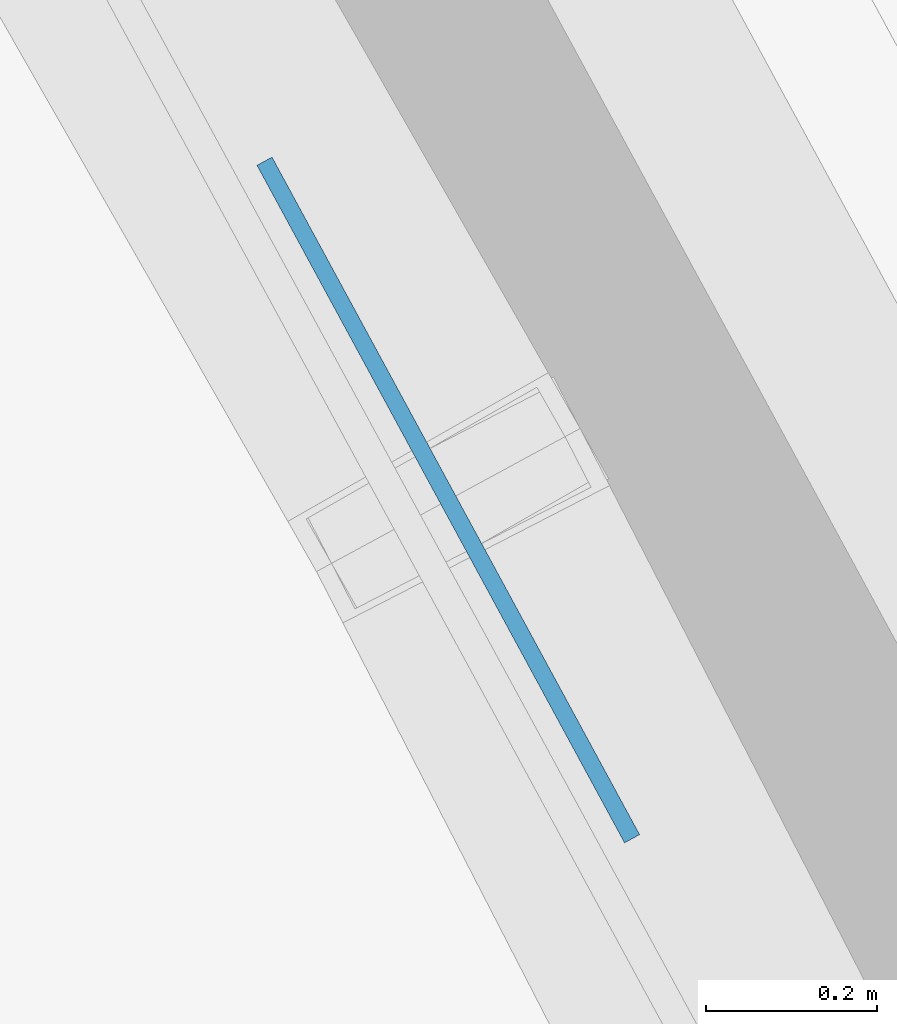
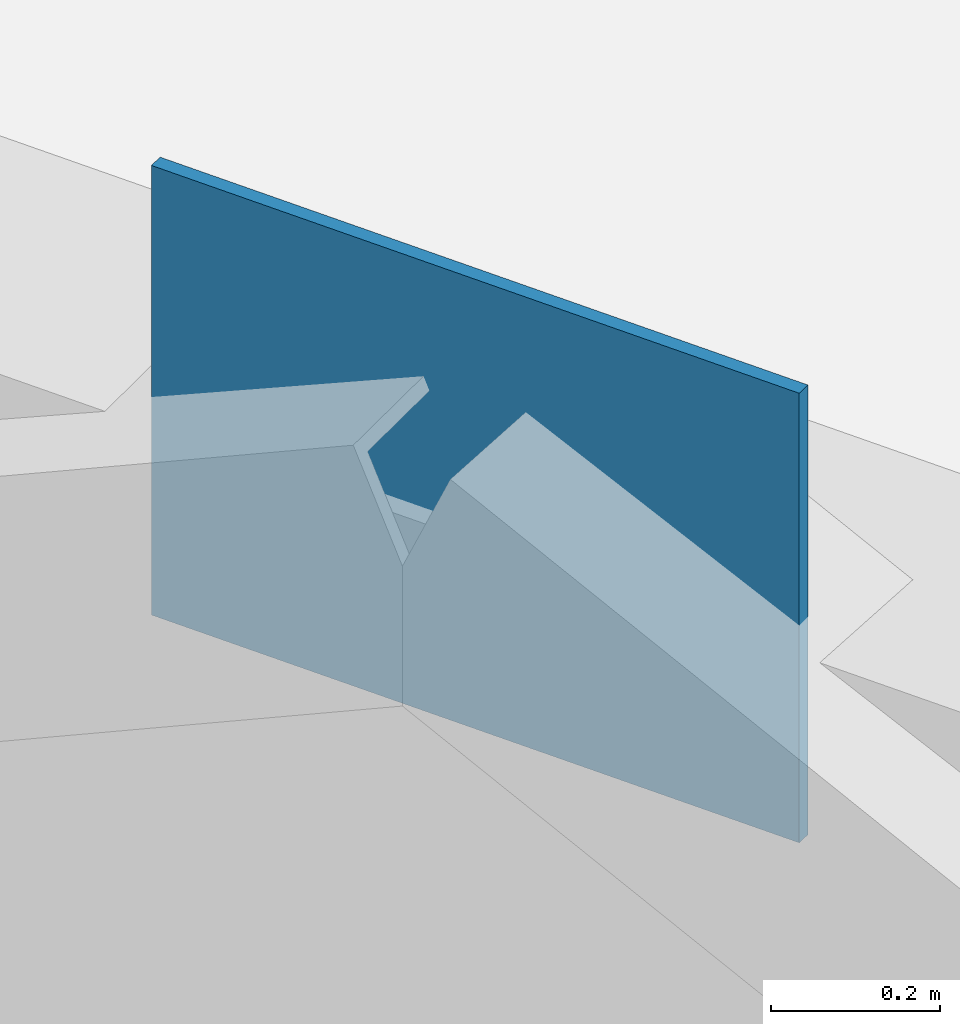
# One storey, part 25 of 74: 1 plate.
"""IFC4 building model written with IfcOpenShell, lengths in metres."""

from ifc_helpers import new_model, si_unit, direction, frame, origin, origin_2d, place, context, subcontext, project, spatial, rectangle, extrude, material, layer, layer_set, type_object, element, save


model = new_model("IFC4")

# Units and contexts
model_context = context("Model", 3, precision=1e-05, world=origin(), true_north=direction((0.0, 1.0)))
body_context = subcontext(model_context, "Body", "Model", "MODEL_VIEW")
ifc_project = project(units=[si_unit("LENGTHUNIT", "METRE"), si_unit("AREAUNIT", "SQUARE_METRE"), si_unit("VOLUMEUNIT", "CUBIC_METRE"), si_unit("PLANEANGLEUNIT", "RADIAN"), si_unit("MASSUNIT", "GRAM", prefix="KILO")], contexts=[model_context])

# Site, building, storey
site_placement = place(None, origin())
site = spatial("IfcSite", under=ifc_project, at=site_placement, CompositionType="ELEMENT")
building_placement = place(site_placement, origin())
building = spatial("IfcBuilding", under=site, at=building_placement, Name="Zlatoyarsky Gate Stadium", CompositionType="ELEMENT")
storey_placement = place(building_placement, frame((0.0, 0.0, -5.39990234375)))
storey = spatial("IfcBuildingStorey", under=building, at=storey_placement, Name="B1", CompositionType="ELEMENT", Elevation=-5.39990234375)

# Plate
ifc_material = material(Name="Steel S355", Category="steel")
ifc_layer = layer(ifc_material, 0.02001953125)
ifc_layer_set = layer_set([ifc_layer], Name="Steel S355")
plate_type = type_object("IfcPlateType", Name="STEEL BRACE GUSSET PLATE 20", PredefinedType="USERDEFINED", material=ifc_layer_set)
plate_placement = place(storey_placement, frame((195.992431640625, 106.833251953125, 4.155029296875), z_axis=(0.0, 0.0, 1.0), x_axis=(-0.476890560212, 0.878962680425, 0.0)))
element("IfcPlate", 1, at=plate_placement, inside=storey, type_object=plate_type, Name="Chevron brace gusset plate ND-BR1 1", ObjectType="GUSSET PLATE", PredefinedType="USERDEFINED", context=body_context, shape_type="SweptSolid", body=[
    extrude(rectangle(XDim=0.89990234375, YDim=0.02001953125, at=origin_2d()), origin(), (0.0, 0.0, 1.0), 0.64990234375),
])

save(model, "model.ifc")
